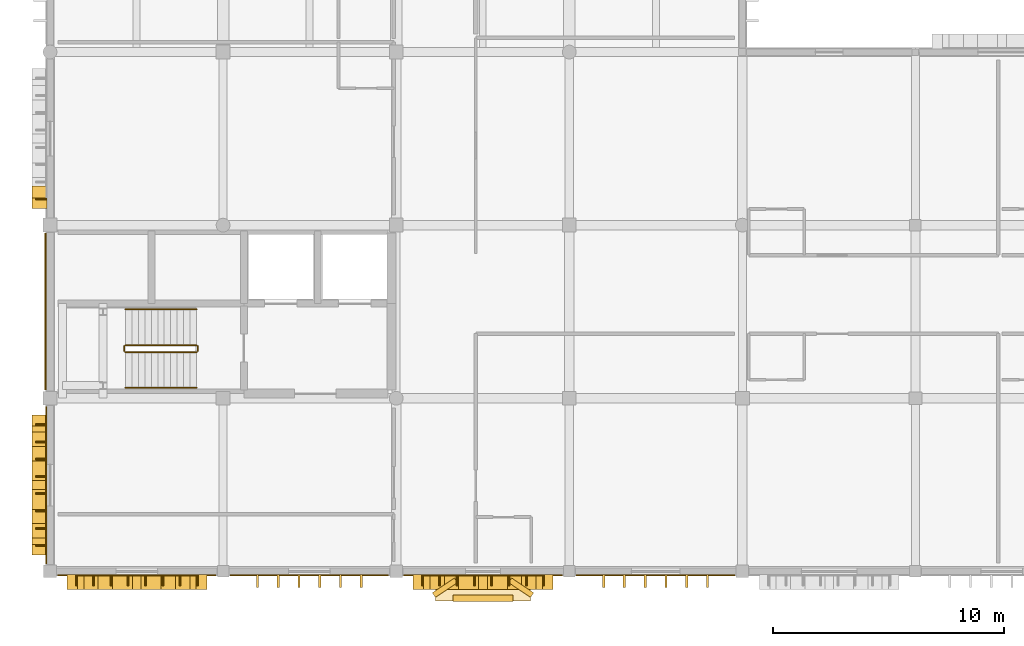
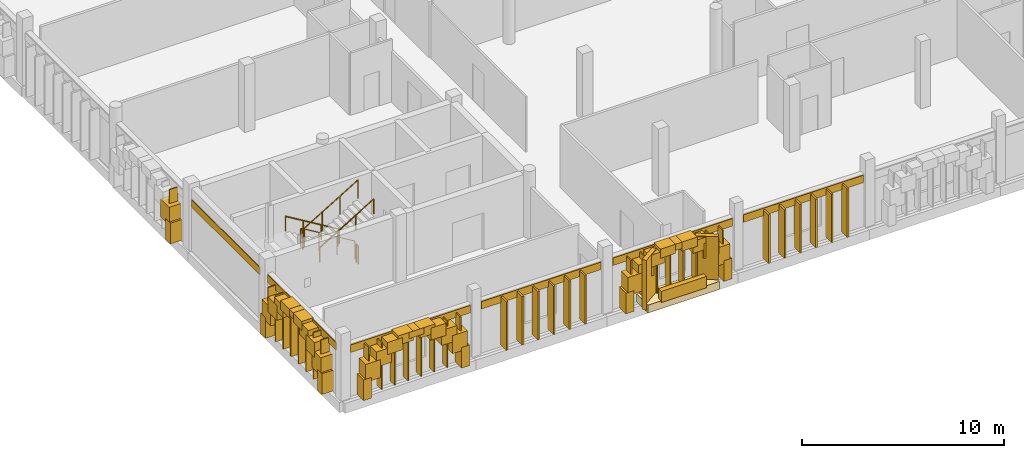
# One storey, part 22 of 33: 57 coverings, 25 shading devices, 6 railings.
"""IFC4 building model written with IfcOpenShell, lengths in metres."""

from ifc_helpers import new_model, si_unit, direction, frame, origin, origin_2d, place, context, subcontext, project, spatial, rectangle, circle, extrude, material, layer, layer_set, type_object, element, save


model = new_model("IFC4")

# Units and contexts
model_context = context("Model", 3, precision=1e-05, world=origin(), true_north=direction((0.0, 1.0)))
body_context = subcontext(model_context, "Body", "Model", "MODEL_VIEW")
ifc_project = project(units=[si_unit("LENGTHUNIT", "METRE"), si_unit("AREAUNIT", "SQUARE_METRE"), si_unit("VOLUMEUNIT", "CUBIC_METRE"), si_unit("PLANEANGLEUNIT", "RADIAN"), si_unit("MASSUNIT", "GRAM", prefix="KILO")], contexts=[model_context])

# Site, building, storey
site_placement = place(None, origin())
site = spatial("IfcSite", under=ifc_project, at=site_placement, CompositionType="ELEMENT")
building_placement = place(site_placement, origin())
building = spatial("IfcBuilding", under=site, at=building_placement, Name="Dalvernix Boulevard General Hospital", CompositionType="ELEMENT")
storey_placement = place(building_placement, frame((0.0, 0.0, 21.89990234375)))
storey = spatial("IfcBuildingStorey", under=building, at=storey_placement, Name="L05", CompositionType="ELEMENT", Elevation=21.89990234375)

# Coverings
ifc_material_1 = material(Name="Pressed Catalan clay brick and dressed limestone parabolic archivolt", Category="masonry")
ifc_layer_1 = layer(ifc_material_1, 0.419921875)
ifc_layer_set_1 = layer_set([ifc_layer_1], Name="Pressed Catalan clay brick and dressed limestone parabolic archivolt (COV-ARC-01)")
covering_type_1 = type_object("IfcCoveringType", Name="COV-ARC-01", PredefinedType="CLADDING", material=ifc_layer_set_1)
for number, where, z_axis, x_axis, name in (
    (1, (6.5625, -0.4599609375, 0.0), (0.0, 0.0, 1.0), (-1.0, 0.0, 0.0), "L05 Catalan parabolic arch impost pier S 0-0-L"),
    (2, (0.96240234375, -0.4599609375, 0.0), (0.0, 0.0, 1.0), (-1.0, 0.0, 0.0), "L05 Catalan parabolic arch impost pier S 0-0-R"),
):
    element("IfcCovering", number, at=place(storey_placement, frame(where, z_axis=z_axis, x_axis=x_axis)), inside=storey, type_object=covering_type_1, Name=name, PredefinedType="CLADDING", context=body_context, shape_type="SweptSolid", body=[
        extrude(rectangle(XDim=0.4599609375, YDim=0.659912109375, at=origin_2d()), origin(), (0.0, 0.0, 1.0), 1.25),
    ])
covering_1_placement = place(storey_placement, frame((6.25146484375, -0.4599609375, 1.06005859375), z_axis=(0.0, 0.0, 1.0), x_axis=(-1.0, 0.0, 0.0)))
element("IfcCovering", 3, at=covering_1_placement, inside=storey, type_object=covering_type_1, Name="L05 Catalan parabolic archivolt voussoir S 0-0-1", PredefinedType="CLADDING", context=body_context, shape_type="SweptSolid", body=[
    extrude(rectangle(XDim=0.8623046875, YDim=0.659912109375, at=origin_2d()), origin(), (0.0, 0.0, 1.0), 1.091064453125),
])
covering_2_placement = place(storey_placement, frame((5.629150390625, -0.4599609375, 1.77099609375), z_axis=(0.0, 0.0, 1.0), x_axis=(-1.0, 0.0, 0.0)))
element("IfcCovering", 4, at=covering_2_placement, inside=storey, type_object=covering_type_1, Name="L05 Catalan parabolic archivolt voussoir S 0-0-2", PredefinedType="CLADDING", context=body_context, shape_type="SweptSolid", body=[
    extrude(rectangle(XDim=0.8623046875, YDim=0.659912109375, at=origin_2d()), origin(), (0.0, 0.0, 1.0), 0.913330078125),
])
covering_3_placement = place(storey_placement, frame((5.0068359375, -0.4599609375, 2.3046875), z_axis=(0.0, 0.0, 1.0), x_axis=(-1.0, 0.0, 0.0)))
element("IfcCovering", 5, at=covering_3_placement, inside=storey, type_object=covering_type_1, Name="L05 Catalan parabolic archivolt voussoir S 0-0-3", PredefinedType="CLADDING", context=body_context, shape_type="SweptSolid", body=[
    extrude(rectangle(XDim=0.8623046875, YDim=0.659912109375, at=origin_2d()), origin(), (0.0, 0.0, 1.0), 0.735595703125),
])
covering_4_placement = place(storey_placement, frame((4.384765625, -0.4599609375, 2.66015625), z_axis=(0.0, 0.0, 1.0), x_axis=(-1.0, 0.0, 0.0)))
element("IfcCovering", 6, at=covering_4_placement, inside=storey, type_object=covering_type_1, Name="L05 Catalan parabolic archivolt voussoir S 0-0-4", PredefinedType="CLADDING", context=body_context, shape_type="SweptSolid", body=[
    extrude(rectangle(XDim=0.8623046875, YDim=0.659912109375, at=origin_2d()), origin(), (0.0, 0.0, 1.0), 0.557861328125),
])
covering_5_placement = place(storey_placement, frame((3.762451171875, -0.4599609375, 2.837890625), z_axis=(0.0, 0.0, 1.0), x_axis=(-1.0, 0.0, 0.0)))
element("IfcCovering", 7, at=covering_5_placement, inside=storey, type_object=covering_type_1, Name="L05 Catalan parabolic archivolt voussoir S 0-0-5", PredefinedType="CLADDING", context=body_context, shape_type="SweptSolid", body=[
    extrude(rectangle(XDim=0.8623046875, YDim=0.659912109375, at=origin_2d()), origin(), (0.0, 0.0, 1.0), 0.3798828125),
])
covering_6_placement = place(storey_placement, frame((3.140380859375, -0.4599609375, 2.66015625), z_axis=(0.0, 0.0, 1.0), x_axis=(-1.0, 0.0, 0.0)))
element("IfcCovering", 8, at=covering_6_placement, inside=storey, type_object=covering_type_1, Name="L05 Catalan parabolic archivolt voussoir S 0-0-6", PredefinedType="CLADDING", context=body_context, shape_type="SweptSolid", body=[
    extrude(rectangle(XDim=0.8623046875, YDim=0.659912109375, at=origin_2d()), origin(), (0.0, 0.0, 1.0), 0.557861328125),
])
covering_7_placement = place(storey_placement, frame((2.51806640625, -0.4599609375, 2.3046875), z_axis=(0.0, 0.0, 1.0), x_axis=(-1.0, 0.0, 0.0)))
element("IfcCovering", 9, at=covering_7_placement, inside=storey, type_object=covering_type_1, Name="L05 Catalan parabolic archivolt voussoir S 0-0-7", PredefinedType="CLADDING", context=body_context, shape_type="SweptSolid", body=[
    extrude(rectangle(XDim=0.8623046875, YDim=0.659912109375, at=origin_2d()), origin(), (0.0, 0.0, 1.0), 0.735595703125),
])
covering_8_placement = place(storey_placement, frame((1.895751953125, -0.4599609375, 1.77099609375), z_axis=(0.0, 0.0, 1.0), x_axis=(-1.0, 0.0, 0.0)))
element("IfcCovering", 10, at=covering_8_placement, inside=storey, type_object=covering_type_1, Name="L05 Catalan parabolic archivolt voussoir S 0-0-8", PredefinedType="CLADDING", context=body_context, shape_type="SweptSolid", body=[
    extrude(rectangle(XDim=0.8623046875, YDim=0.659912109375, at=origin_2d()), origin(), (0.0, 0.0, 1.0), 0.913330078125),
])
covering_9_placement = place(storey_placement, frame((1.273681640625, -0.4599609375, 1.06005859375), z_axis=(0.0, 0.0, 1.0), x_axis=(-1.0, 0.0, 0.0)))
element("IfcCovering", 11, at=covering_9_placement, inside=storey, type_object=covering_type_1, Name="L05 Catalan parabolic archivolt voussoir S 0-0-9", PredefinedType="CLADDING", context=body_context, shape_type="SweptSolid", body=[
    extrude(rectangle(XDim=0.8623046875, YDim=0.659912109375, at=origin_2d()), origin(), (0.0, 0.0, 1.0), 1.091064453125),
])
for number, where, z_axis, x_axis, name in (
    (12, (-0.4599609375, 0.9375, 0.0), (0.0, 0.0, 1.0), (0.0, 1.0, 0.0), "L05 Catalan parabolic arch impost pier W 0-0-L"),
    (13, (-0.4599609375, 6.53759765625, 0.0), (0.0, 0.0, 1.0), (0.0, 1.0, 0.0), "L05 Catalan parabolic arch impost pier W 0-0-R"),
):
    element("IfcCovering", number, at=place(storey_placement, frame(where, z_axis=z_axis, x_axis=x_axis)), inside=storey, type_object=covering_type_1, Name=name, PredefinedType="CLADDING", context=body_context, shape_type="SweptSolid", body=[
        extrude(rectangle(XDim=0.4599609375, YDim=0.659912109375, at=origin_2d()), origin(), (0.0, 0.0, 1.0), 1.25),
    ])
covering_10_placement = place(storey_placement, frame((-0.4599609375, 1.24853515625, 1.06005859375), z_axis=(0.0, 0.0, 1.0), x_axis=(0.0, 1.0, 0.0)))
element("IfcCovering", 14, at=covering_10_placement, inside=storey, type_object=covering_type_1, Name="L05 Catalan parabolic archivolt voussoir W 0-0-1", PredefinedType="CLADDING", context=body_context, shape_type="SweptSolid", body=[
    extrude(rectangle(XDim=0.8623046875, YDim=0.659912109375, at=origin_2d()), origin(), (0.0, 0.0, 1.0), 1.091064453125),
])
covering_11_placement = place(storey_placement, frame((-0.4599609375, 1.870849609375, 1.77099609375), z_axis=(0.0, 0.0, 1.0), x_axis=(0.0, 1.0, 0.0)))
element("IfcCovering", 15, at=covering_11_placement, inside=storey, type_object=covering_type_1, Name="L05 Catalan parabolic archivolt voussoir W 0-0-2", PredefinedType="CLADDING", context=body_context, shape_type="SweptSolid", body=[
    extrude(rectangle(XDim=0.8623046875, YDim=0.659912109375, at=origin_2d()), origin(), (0.0, 0.0, 1.0), 0.913330078125),
])
covering_12_placement = place(storey_placement, frame((-0.4599609375, 2.4931640625, 2.3046875), z_axis=(0.0, 0.0, 1.0), x_axis=(0.0, 1.0, 0.0)))
element("IfcCovering", 16, at=covering_12_placement, inside=storey, type_object=covering_type_1, Name="L05 Catalan parabolic archivolt voussoir W 0-0-3", PredefinedType="CLADDING", context=body_context, shape_type="SweptSolid", body=[
    extrude(rectangle(XDim=0.8623046875, YDim=0.659912109375, at=origin_2d()), origin(), (0.0, 0.0, 1.0), 0.735595703125),
])
covering_13_placement = place(storey_placement, frame((-0.4599609375, 3.115234375, 2.66015625), z_axis=(0.0, 0.0, 1.0), x_axis=(0.0, 1.0, 0.0)))
element("IfcCovering", 17, at=covering_13_placement, inside=storey, type_object=covering_type_1, Name="L05 Catalan parabolic archivolt voussoir W 0-0-4", PredefinedType="CLADDING", context=body_context, shape_type="SweptSolid", body=[
    extrude(rectangle(XDim=0.8623046875, YDim=0.659912109375, at=origin_2d()), origin(), (0.0, 0.0, 1.0), 0.557861328125),
])
covering_14_placement = place(storey_placement, frame((-0.4599609375, 3.737548828125, 2.837890625), z_axis=(0.0, 0.0, 1.0), x_axis=(0.0, 1.0, 0.0)))
element("IfcCovering", 18, at=covering_14_placement, inside=storey, type_object=covering_type_1, Name="L05 Catalan parabolic archivolt voussoir W 0-0-5", PredefinedType="CLADDING", context=body_context, shape_type="SweptSolid", body=[
    extrude(rectangle(XDim=0.8623046875, YDim=0.659912109375, at=origin_2d()), origin(), (0.0, 0.0, 1.0), 0.3798828125),
])
covering_15_placement = place(storey_placement, frame((-0.4599609375, 4.359619140625, 2.66015625), z_axis=(0.0, 0.0, 1.0), x_axis=(0.0, 1.0, 0.0)))
element("IfcCovering", 19, at=covering_15_placement, inside=storey, type_object=covering_type_1, Name="L05 Catalan parabolic archivolt voussoir W 0-0-6", PredefinedType="CLADDING", context=body_context, shape_type="SweptSolid", body=[
    extrude(rectangle(XDim=0.8623046875, YDim=0.659912109375, at=origin_2d()), origin(), (0.0, 0.0, 1.0), 0.557861328125),
])
covering_16_placement = place(storey_placement, frame((-0.4599609375, 4.98193359375, 2.3046875), z_axis=(0.0, 0.0, 1.0), x_axis=(0.0, 1.0, 0.0)))
element("IfcCovering", 20, at=covering_16_placement, inside=storey, type_object=covering_type_1, Name="L05 Catalan parabolic archivolt voussoir W 0-0-7", PredefinedType="CLADDING", context=body_context, shape_type="SweptSolid", body=[
    extrude(rectangle(XDim=0.8623046875, YDim=0.659912109375, at=origin_2d()), origin(), (0.0, 0.0, 1.0), 0.735595703125),
])
covering_17_placement = place(storey_placement, frame((-0.4599609375, 5.604248046875, 1.77099609375), z_axis=(0.0, 0.0, 1.0), x_axis=(0.0, 1.0, 0.0)))
element("IfcCovering", 21, at=covering_17_placement, inside=storey, type_object=covering_type_1, Name="L05 Catalan parabolic archivolt voussoir W 0-0-8", PredefinedType="CLADDING", context=body_context, shape_type="SweptSolid", body=[
    extrude(rectangle(XDim=0.8623046875, YDim=0.659912109375, at=origin_2d()), origin(), (0.0, 0.0, 1.0), 0.913330078125),
])
covering_18_placement = place(storey_placement, frame((-0.4599609375, 6.226318359375, 1.06005859375), z_axis=(0.0, 0.0, 1.0), x_axis=(0.0, 1.0, 0.0)))
element("IfcCovering", 22, at=covering_18_placement, inside=storey, type_object=covering_type_1, Name="L05 Catalan parabolic archivolt voussoir W 0-0-9", PredefinedType="CLADDING", context=body_context, shape_type="SweptSolid", body=[
    extrude(rectangle(XDim=0.8623046875, YDim=0.659912109375, at=origin_2d()), origin(), (0.0, 0.0, 1.0), 1.091064453125),
])
covering_19_placement = place(storey_placement, frame((-0.4599609375, 15.949951171875, 0.0), z_axis=(0.0, 0.0, 1.0), x_axis=(0.0, 1.0, 0.0)))
element("IfcCovering", 23, at=covering_19_placement, inside=storey, type_object=covering_type_1, Name="L05 Catalan parabolic arch impost pier W 0-2-L", PredefinedType="CLADDING", context=body_context, shape_type="SweptSolid", body=[
    extrude(rectangle(XDim=0.4599609375, YDim=0.659912109375, at=origin_2d()), origin(), (0.0, 0.0, 1.0), 1.25),
])
covering_20_placement = place(storey_placement, frame((-0.4599609375, 16.260986328125, 1.06005859375), z_axis=(0.0, 0.0, 1.0), x_axis=(0.0, 1.0, 0.0)))
element("IfcCovering", 24, at=covering_20_placement, inside=storey, type_object=covering_type_1, Name="L05 Catalan parabolic archivolt voussoir W 0-2-1", PredefinedType="CLADDING", context=body_context, shape_type="SweptSolid", body=[
    extrude(rectangle(XDim=0.8623046875, YDim=0.659912109375, at=origin_2d()), origin(), (0.0, 0.0, 1.0), 1.091064453125),
])
for number, where, z_axis, x_axis, name in (
    (25, (21.5625, -0.4599609375, 0.0), (0.0, 0.0, 1.0), (-1.0, 0.0, 0.0), "L05 Catalan parabolic arch impost pier S 2-0-L"),
    (26, (15.96240234375, -0.4599609375, 0.0), (0.0, 0.0, 1.0), (-1.0, 0.0, 0.0), "L05 Catalan parabolic arch impost pier S 2-0-R"),
):
    element("IfcCovering", number, at=place(storey_placement, frame(where, z_axis=z_axis, x_axis=x_axis)), inside=storey, type_object=covering_type_1, Name=name, PredefinedType="CLADDING", context=body_context, shape_type="SweptSolid", body=[
        extrude(rectangle(XDim=0.4599609375, YDim=0.659912109375, at=origin_2d()), origin(), (0.0, 0.0, 1.0), 1.25),
    ])
covering_21_placement = place(storey_placement, frame((21.25146484375, -0.4599609375, 1.06005859375), z_axis=(0.0, 0.0, 1.0), x_axis=(-1.0, 0.0, 0.0)))
element("IfcCovering", 27, at=covering_21_placement, inside=storey, type_object=covering_type_1, Name="L05 Catalan parabolic archivolt voussoir S 2-0-1", PredefinedType="CLADDING", context=body_context, shape_type="SweptSolid", body=[
    extrude(rectangle(XDim=0.8623046875, YDim=0.659912109375, at=origin_2d()), origin(), (0.0, 0.0, 1.0), 1.091064453125),
])
covering_22_placement = place(storey_placement, frame((20.629150390625, -0.4599609375, 1.77099609375), z_axis=(0.0, 0.0, 1.0), x_axis=(-1.0, 0.0, 0.0)))
element("IfcCovering", 28, at=covering_22_placement, inside=storey, type_object=covering_type_1, Name="L05 Catalan parabolic archivolt voussoir S 2-0-2", PredefinedType="CLADDING", context=body_context, shape_type="SweptSolid", body=[
    extrude(rectangle(XDim=0.8623046875, YDim=0.659912109375, at=origin_2d()), origin(), (0.0, 0.0, 1.0), 0.913330078125),
])
covering_23_placement = place(storey_placement, frame((20.0068359375, -0.4599609375, 2.3046875), z_axis=(0.0, 0.0, 1.0), x_axis=(-1.0, 0.0, 0.0)))
element("IfcCovering", 29, at=covering_23_placement, inside=storey, type_object=covering_type_1, Name="L05 Catalan parabolic archivolt voussoir S 2-0-3", PredefinedType="CLADDING", context=body_context, shape_type="SweptSolid", body=[
    extrude(rectangle(XDim=0.8623046875, YDim=0.659912109375, at=origin_2d()), origin(), (0.0, 0.0, 1.0), 0.735595703125),
])
covering_24_placement = place(storey_placement, frame((19.384765625, -0.4599609375, 2.66015625), z_axis=(0.0, 0.0, 1.0), x_axis=(-1.0, 0.0, 0.0)))
element("IfcCovering", 30, at=covering_24_placement, inside=storey, type_object=covering_type_1, Name="L05 Catalan parabolic archivolt voussoir S 2-0-4", PredefinedType="CLADDING", context=body_context, shape_type="SweptSolid", body=[
    extrude(rectangle(XDim=0.8623046875, YDim=0.659912109375, at=origin_2d()), origin(), (0.0, 0.0, 1.0), 0.557861328125),
])
covering_25_placement = place(storey_placement, frame((18.762451171875, -0.4599609375, 2.837890625), z_axis=(0.0, 0.0, 1.0), x_axis=(-1.0, 0.0, 0.0)))
element("IfcCovering", 31, at=covering_25_placement, inside=storey, type_object=covering_type_1, Name="L05 Catalan parabolic archivolt voussoir S 2-0-5", PredefinedType="CLADDING", context=body_context, shape_type="SweptSolid", body=[
    extrude(rectangle(XDim=0.8623046875, YDim=0.659912109375, at=origin_2d()), origin(), (0.0, 0.0, 1.0), 0.3798828125),
])
covering_26_placement = place(storey_placement, frame((18.140380859375, -0.4599609375, 2.66015625), z_axis=(0.0, 0.0, 1.0), x_axis=(-1.0, 0.0, 0.0)))
element("IfcCovering", 32, at=covering_26_placement, inside=storey, type_object=covering_type_1, Name="L05 Catalan parabolic archivolt voussoir S 2-0-6", PredefinedType="CLADDING", context=body_context, shape_type="SweptSolid", body=[
    extrude(rectangle(XDim=0.8623046875, YDim=0.659912109375, at=origin_2d()), origin(), (0.0, 0.0, 1.0), 0.557861328125),
])
covering_27_placement = place(storey_placement, frame((17.51806640625, -0.4599609375, 2.3046875), z_axis=(0.0, 0.0, 1.0), x_axis=(-1.0, 0.0, 0.0)))
element("IfcCovering", 33, at=covering_27_placement, inside=storey, type_object=covering_type_1, Name="L05 Catalan parabolic archivolt voussoir S 2-0-7", PredefinedType="CLADDING", context=body_context, shape_type="SweptSolid", body=[
    extrude(rectangle(XDim=0.8623046875, YDim=0.659912109375, at=origin_2d()), origin(), (0.0, 0.0, 1.0), 0.735595703125),
])
covering_28_placement = place(storey_placement, frame((16.895751953125, -0.4599609375, 1.77099609375), z_axis=(0.0, 0.0, 1.0), x_axis=(-1.0, 0.0, 0.0)))
element("IfcCovering", 34, at=covering_28_placement, inside=storey, type_object=covering_type_1, Name="L05 Catalan parabolic archivolt voussoir S 2-0-8", PredefinedType="CLADDING", context=body_context, shape_type="SweptSolid", body=[
    extrude(rectangle(XDim=0.8623046875, YDim=0.659912109375, at=origin_2d()), origin(), (0.0, 0.0, 1.0), 0.913330078125),
])
covering_29_placement = place(storey_placement, frame((16.273681640625, -0.4599609375, 1.06005859375), z_axis=(0.0, 0.0, 1.0), x_axis=(-1.0, 0.0, 0.0)))
element("IfcCovering", 35, at=covering_29_placement, inside=storey, type_object=covering_type_1, Name="L05 Catalan parabolic archivolt voussoir S 2-0-9", PredefinedType="CLADDING", context=body_context, shape_type="SweptSolid", body=[
    extrude(rectangle(XDim=0.8623046875, YDim=0.659912109375, at=origin_2d()), origin(), (0.0, 0.0, 1.0), 1.091064453125),
])
ifc_material_2 = material(Name="Polychrome glazed Catalan trencadis ceramic faceted bay spandrel")
ifc_layer_2 = layer(ifc_material_2, 0.280029296875)
ifc_layer_set_2 = layer_set([ifc_layer_2], Name="Polychrome glazed Catalan trencadis ceramic faceted bay spandrel (COV-BAY-01)")
covering_type_2 = type_object("IfcCoveringType", Name="COV-BAY-01", PredefinedType="CLADDING", material=ifc_layer_set_2)
covering_30_placement = place(storey_placement, frame((18.762451171875, -1.159912109375, 0.38037109375), z_axis=(0.0, 0.0, 1.0), x_axis=(-1.0, 0.0, 0.0)))
element("IfcCovering", 36, at=covering_30_placement, inside=storey, type_object=covering_type_2, Name="L05 projecting faceted trencadis bay spandrel S 2-0", PredefinedType="CLADDING", context=body_context, shape_type="SweptSolid", body=[
    extrude(rectangle(XDim=2.60009765625, YDim=0.280029296875, at=origin_2d()), origin(), (0.0, 0.0, 1.0), 0.679931640625),
])
for number, where, z_axis, x_axis, name in (
    (37, (20.41259765625, -0.7099609375, 0.080078125), (0.0, 0.0, 1.0), (-0.829037572555, 0.559192903471, 0.0), "L05 projecting faceted Catalan bay cheek S 2-0-L"),
    (38, (17.112548828125, -0.7099609375, 0.080078125), (0.0, 0.0, 1.0), (-0.829037572555, -0.559192903471, 0.0), "L05 projecting faceted Catalan bay cheek S 2-0-R"),
):
    element("IfcCovering", number, at=place(storey_placement, frame(where, z_axis=z_axis, x_axis=x_axis)), inside=storey, type_object=covering_type_2, Name=name, PredefinedType="CLADDING", context=body_context, shape_type="SweptSolid", body=[
        extrude(rectangle(XDim=1.14990234375, YDim=0.239990234375, at=origin_2d()), origin(), (0.0, 0.0, 1.0), 3.010009765625),
    ])
ifc_material_3 = material(Name="Polychrome Catalan glazed ceramic spandrel tile panel")
ifc_layer_3 = layer(ifc_material_3, 0.044921875)
ifc_layer_set_3 = layer_set([ifc_layer_3], Name="Polychrome Catalan glazed ceramic spandrel tile panel (COV-CLD-01)")
covering_type_3 = type_object("IfcCoveringType", Name="COV-CLD-01", PredefinedType="CLADDING", material=ifc_layer_set_3)
covering_31_placement = place(storey_placement, frame((3.762451171875, -0.169921875, 2.6953125), z_axis=(0.0, 0.0, 1.0), x_axis=(-1.0, 0.0, 0.0)))
element("IfcCovering", 39, at=covering_31_placement, inside=storey, type_object=covering_type_3, Name="L05 polychrome ceramic spandrel S 0-0", PredefinedType="CLADDING", context=body_context, shape_type="SweptSolid", body=[
    extrude(rectangle(XDim=6.85498046875, YDim=0.044921875, at=origin_2d()), origin(), (0.0, 0.0, 1.0), 0.449951171875),
])
covering_32_placement = place(storey_placement, frame((-0.169921875, 3.737548828125, 2.6953125), z_axis=(0.0, 0.0, 1.0), x_axis=(0.0, 1.0, 0.0)))
element("IfcCovering", 40, at=covering_32_placement, inside=storey, type_object=covering_type_3, Name="L05 polychrome ceramic spandrel W 0-0", PredefinedType="CLADDING", context=body_context, shape_type="SweptSolid", body=[
    extrude(rectangle(XDim=6.804931640625, YDim=0.044921875, at=origin_2d()), origin(), (0.0, 0.0, 1.0), 0.449951171875),
])
covering_33_placement = place(storey_placement, frame((-0.195068359375, 11.25, 2.6953125), z_axis=(0.0, 0.0, 1.0), x_axis=(0.0, 1.0, 0.0)))
element("IfcCovering", 41, at=covering_33_placement, inside=storey, type_object=covering_type_3, Name="L05 polychrome ceramic spandrel W 0-1", PredefinedType="CLADDING", context=body_context, shape_type="SweptSolid", body=[
    extrude(rectangle(XDim=6.780029296875, YDim=0.044921875, at=origin_2d()), origin(), (0.0, 0.0, 1.0), 0.449951171875),
])
for number, where, z_axis, x_axis, name in (
    (42, (11.237548828125, -0.169921875, 2.6953125), (0.0, 0.0, 1.0), (-1.0, 0.0, 0.0), "L05 polychrome ceramic spandrel S 1-0"),
    (43, (18.762451171875, -0.169921875, 2.6953125), (0.0, 0.0, 1.0), (-1.0, 0.0, 0.0), "L05 polychrome ceramic spandrel S 2-0"),
    (44, (26.237548828125, -0.169921875, 2.6953125), (0.0, 0.0, 1.0), (-1.0, 0.0, 0.0), "L05 polychrome ceramic spandrel S 3-0"),
):
    element("IfcCovering", number, at=place(storey_placement, frame(where, z_axis=z_axis, x_axis=x_axis)), inside=storey, type_object=covering_type_3, Name=name, PredefinedType="CLADDING", context=body_context, shape_type="SweptSolid", body=[
        extrude(rectangle(XDim=6.85498046875, YDim=0.044921875, at=origin_2d()), origin(), (0.0, 0.0, 1.0), 0.449951171875),
    ])
ifc_material_4 = material(Name="Dressed ochre limestone classical plinth, stringcourse and corbelled cornice", Category="masonry")
ifc_layer_4 = layer(ifc_material_4, 0.449951171875)
ifc_layer_set_4 = layer_set([ifc_layer_4], Name="Dressed ochre limestone classical plinth, stringcourse and corbelled cornice (COV-CRN-01)")
covering_type_4 = type_object("IfcCoveringType", Name="COV-CRN-01", PredefinedType="CLADDING", material=ifc_layer_set_4)
covering_34_placement = place(storey_placement, frame((18.762451171875, -0.705078125, 0.0), z_axis=(0.0, 0.0, 1.0), x_axis=(-1.0, 0.0, 0.0)))
element("IfcCovering", 45, at=covering_34_placement, inside=storey, type_object=covering_type_4, Name="L05 projecting Catalan bay corbel base S 2-0", PredefinedType="CLADDING", context=body_context, shape_type="SweptSolid", body=[
    extrude(rectangle(XDim=4.10009765625, YDim=1.14990234375, at=origin_2d()), origin(), (0.0, 0.0, 1.0), 0.47998046875),
])
ifc_material_5 = material(Name="Terracotta-clad iroko timber brise-soleil sun-breaker fin", Category="masonry")
ifc_layer_5 = layer(ifc_material_5, 0.10009765625)
ifc_layer_set_5 = layer_set([ifc_layer_5], Name="Terracotta-clad iroko timber brise-soleil sun-breaker fin (COV-FIN-02)")
covering_type_5 = type_object("IfcCoveringType", Name="COV-FIN-02", PredefinedType="CLADDING", material=ifc_layer_set_5)
for number, where, z_axis, x_axis, name in (
    (46, (13.487548828125, -0.419921875, 0.1201171875), (0.0, 0.0, 1.0), (-1.0, 0.0, 0.0), "L05 terracotta brise-soleil fin S 1-0-1"),
    (47, (12.58740234375, -0.419921875, 0.1201171875), (0.0, 0.0, 1.0), (-1.0, 0.0, 0.0), "L05 terracotta brise-soleil fin S 1-0-2"),
    (48, (11.6875, -0.419921875, 0.1201171875), (0.0, 0.0, 1.0), (-1.0, 0.0, 0.0), "L05 terracotta brise-soleil fin S 1-0-3"),
    (49, (10.78759765625, -0.419921875, 0.1201171875), (0.0, 0.0, 1.0), (-1.0, 0.0, 0.0), "L05 terracotta brise-soleil fin S 1-0-4"),
    (50, (9.887451171875, -0.419921875, 0.1201171875), (0.0, 0.0, 1.0), (-1.0, 0.0, 0.0), "L05 terracotta brise-soleil fin S 1-0-5"),
    (51, (8.987548828125, -0.419921875, 0.1201171875), (0.0, 0.0, 1.0), (-1.0, 0.0, 0.0), "L05 terracotta brise-soleil fin S 1-0-6"),
    (52, (28.487548828125, -0.419921875, 0.1201171875), (0.0, 0.0, 1.0), (-1.0, 0.0, 0.0), "L05 terracotta brise-soleil fin S 3-0-1"),
    (53, (27.58740234375, -0.419921875, 0.1201171875), (0.0, 0.0, 1.0), (-1.0, 0.0, 0.0), "L05 terracotta brise-soleil fin S 3-0-2"),
    (54, (26.6875, -0.419921875, 0.1201171875), (0.0, 0.0, 1.0), (-1.0, 0.0, 0.0), "L05 terracotta brise-soleil fin S 3-0-3"),
    (55, (25.78759765625, -0.419921875, 0.1201171875), (0.0, 0.0, 1.0), (-1.0, 0.0, 0.0), "L05 terracotta brise-soleil fin S 3-0-4"),
    (56, (24.887451171875, -0.419921875, 0.1201171875), (0.0, 0.0, 1.0), (-1.0, 0.0, 0.0), "L05 terracotta brise-soleil fin S 3-0-5"),
    (57, (23.987548828125, -0.419921875, 0.1201171875), (0.0, 0.0, 1.0), (-1.0, 0.0, 0.0), "L05 terracotta brise-soleil fin S 3-0-6"),
):
    element("IfcCovering", number, at=place(storey_placement, frame(where, z_axis=z_axis, x_axis=x_axis)), inside=storey, type_object=covering_type_5, Name=name, PredefinedType="CLADDING", context=body_context, shape_type="SweptSolid", body=[
        extrude(rectangle(XDim=0.10009765625, YDim=0.580078125, at=origin_2d()), origin(), (0.0, 0.0, 1.0), 2.929931640625),
    ])

# Railings
ifc_material_6 = material(Name="Brushed stainless steel balustrade", Category="steel")
railing_type_1 = type_object("IfcRailingType", Name="RL-GR-INT1", PredefinedType="BALUSTRADE", material=ifc_material_6)
railing_1_placement = place(storey_placement, frame((6.35009765625, 9.800048828125, 0.1689453125)))
element("IfcRailing", 58, at=railing_1_placement, inside=storey, type_object=railing_type_1, Name="L05 ST-01 stair guard 1", PredefinedType="BALUSTRADE", context=body_context, shape_type="SweptSolid", body=[
    extrude(circle(Radius=0.02392578125, at=origin_2d()), frame((0.0, 0.0, 1.09619140625), z_axis=(-0.856490936558, 0.0, 0.516162063304), x_axis=(0.0, -1.0, 0.0)), (0.0, 0.0, 1.0), 3.59619140625),
    extrude(circle(Radius=0.02099609375, at=origin_2d()), origin(), (0.0, 0.0, 1.0), 1.072021484375),
    extrude(circle(Radius=0.02099609375, at=origin_2d()), frame((-1.026611328125, 0.0, 0.61865234375)), (0.0, 0.0, 1.0), 1.072021484375),
    extrude(circle(Radius=0.02099609375, at=origin_2d()), frame((-2.053466796875, 0.0, 1.237548828125)), (0.0, 0.0, 1.0), 1.072021484375),
    extrude(circle(Radius=0.02099609375, at=origin_2d()), frame((-3.080078125, 0.0, 1.856201171875)), (0.0, 0.0, 1.0), 1.072021484375),
])
railing_2_placement = place(storey_placement, frame((3.219970703125, 9.75, 2.025146484375)))
element("IfcRailing", 59, at=railing_2_placement, inside=storey, type_object=railing_type_1, Name="L05 ST-01 stair guard 2", PredefinedType="BALUSTRADE", context=body_context, shape_type="SweptSolid", body=[
    extrude(circle(Radius=0.02392578125, at=origin_2d()), frame((0.0, 0.0, 1.09619140625), z_axis=(0.0, -1.0, 0.0), x_axis=(1.0, 0.0, 0.0)), (0.0, 0.0, 1.0), 0.199951171875),
    extrude(circle(Radius=0.02099609375, at=origin_2d()), origin(), (0.0, 0.0, 1.0), 1.072021484375),
    extrude(circle(Radius=0.02099609375, at=origin_2d()), frame((0.0, -0.199951171875, 0.0)), (0.0, 0.0, 1.0), 1.072021484375),
])
railing_3_placement = place(storey_placement, frame((3.27001953125, 9.5, 2.19384765625)))
element("IfcRailing", 60, at=railing_3_placement, inside=storey, type_object=railing_type_1, Name="L05 ST-01 stair guard 3", PredefinedType="BALUSTRADE", context=body_context, shape_type="SweptSolid", body=[
    extrude(circle(Radius=0.02392578125, at=origin_2d()), frame((0.0, 0.0, 1.09619140625), z_axis=(0.856490936558, 0.0, 0.516162063304), x_axis=(0.0, 1.0, 0.0)), (0.0, 0.0, 1.0), 3.59619140625),
    extrude(circle(Radius=0.02099609375, at=origin_2d()), origin(), (0.0, 0.0, 1.0), 1.072021484375),
    extrude(circle(Radius=0.02099609375, at=origin_2d()), frame((1.026611328125, 0.0, 0.61865234375)), (0.0, 0.0, 1.0), 1.072021484375),
    extrude(circle(Radius=0.02099609375, at=origin_2d()), frame((2.053466796875, 0.0, 1.237548828125)), (0.0, 0.0, 1.0), 1.072021484375),
    extrude(circle(Radius=0.02099609375, at=origin_2d()), frame((3.080078125, 0.0, 1.856201171875)), (0.0, 0.0, 1.0), 1.072021484375),
])
railing_4_placement = place(storey_placement, frame((6.39990234375, 9.75, 0.0)))
element("IfcRailing", 61, at=railing_4_placement, inside=storey, type_object=railing_type_1, Name="L05 ST-01 stair guard 4", PredefinedType="BALUSTRADE", context=body_context, shape_type="SweptSolid", body=[
    extrude(circle(Radius=0.02392578125, at=origin_2d()), frame((0.0, 0.0, 1.09619140625), z_axis=(0.0, -1.0, 0.0), x_axis=(1.0, 0.0, 0.0)), (0.0, 0.0, 1.0), 0.199951171875),
    extrude(circle(Radius=0.02099609375, at=origin_2d()), origin(), (0.0, 0.0, 1.0), 1.072021484375),
    extrude(circle(Radius=0.02099609375, at=origin_2d()), frame((0.0, -0.199951171875, 0.0)), (0.0, 0.0, 1.0), 1.072021484375),
])
ifc_material_7 = material(Name="Brushed stainless steel wall handrail", Category="steel")
railing_type_2 = type_object("IfcRailingType", Name="RL-HR-INT1", PredefinedType="HANDRAIL", material=ifc_material_7)
railing_5_placement = place(storey_placement, frame((6.35009765625, 11.35009765625, 0.1689453125)))
element("IfcRailing", 62, at=railing_5_placement, inside=storey, type_object=railing_type_2, Name="L05 ST-01 stair handrail 1", PredefinedType="HANDRAIL", context=body_context, shape_type="SweptSolid", body=[
    extrude(circle(Radius=0.02392578125, at=origin_2d()), frame((0.0, 0.0, 0.8759765625), z_axis=(-0.856490936558, 0.0, 0.516162063304), x_axis=(0.0, -1.0, 0.0)), (0.0, 0.0, 1.0), 3.59619140625),
    extrude(circle(Radius=0.02099609375, at=origin_2d()), origin(), (0.0, 0.0, 1.0), 0.851806640625),
    extrude(circle(Radius=0.02099609375, at=origin_2d()), frame((-1.026611328125, 0.0, 0.61865234375)), (0.0, 0.0, 1.0), 0.851806640625),
    extrude(circle(Radius=0.02099609375, at=origin_2d()), frame((-2.053466796875, 0.0, 1.237548828125)), (0.0, 0.0, 1.0), 0.851806640625),
    extrude(circle(Radius=0.02099609375, at=origin_2d()), frame((-3.080078125, 0.0, 1.856201171875)), (0.0, 0.0, 1.0), 0.851806640625),
])
railing_6_placement = place(storey_placement, frame((3.27001953125, 7.949951171875, 2.19384765625)))
element("IfcRailing", 63, at=railing_6_placement, inside=storey, type_object=railing_type_2, Name="L05 ST-01 stair handrail 2", PredefinedType="HANDRAIL", context=body_context, shape_type="SweptSolid", body=[
    extrude(circle(Radius=0.02392578125, at=origin_2d()), frame((0.0, 0.0, 0.8759765625), z_axis=(0.856490936558, 0.0, 0.516162063304), x_axis=(0.0, 1.0, 0.0)), (0.0, 0.0, 1.0), 3.59619140625),
    extrude(circle(Radius=0.02099609375, at=origin_2d()), origin(), (0.0, 0.0, 1.0), 0.851806640625),
    extrude(circle(Radius=0.02099609375, at=origin_2d()), frame((1.026611328125, 0.0, 0.61865234375)), (0.0, 0.0, 1.0), 0.851806640625),
    extrude(circle(Radius=0.02099609375, at=origin_2d()), frame((2.053466796875, 0.0, 1.237548828125)), (0.0, 0.0, 1.0), 0.851806640625),
    extrude(circle(Radius=0.02099609375, at=origin_2d()), frame((3.080078125, 0.0, 1.856201171875)), (0.0, 0.0, 1.0), 0.851806640625),
])

# Shading devices
ifc_material_8 = material(Name="Preservative-treated West African iroko timber", Category="wood")
shading_device_type = type_object("IfcShadingDeviceType", Name="SHD-FIN-01", PredefinedType="USERDEFINED", material=ifc_material_8)
for number, where, z_axis, x_axis, name in (
    (64, (6.387451171875, -0.3798828125, 0.17529296875), (0.0, 0.0, 1.0), (-1.0, 0.0, 0.0), "L05 iroko brise-soleil fin 1"),
    (65, (5.637451171875, -0.3798828125, 0.17529296875), (0.0, 0.0, 1.0), (-1.0, 0.0, 0.0), "L05 iroko brise-soleil fin 2"),
    (66, (4.887451171875, -0.3798828125, 0.17529296875), (0.0, 0.0, 1.0), (-1.0, 0.0, 0.0), "L05 iroko brise-soleil fin 3"),
    (67, (4.137451171875, -0.3798828125, 0.17529296875), (0.0, 0.0, 1.0), (-1.0, 0.0, 0.0), "L05 iroko brise-soleil fin 4"),
    (68, (3.387451171875, -0.3798828125, 0.17529296875), (0.0, 0.0, 1.0), (-1.0, 0.0, 0.0), "L05 iroko brise-soleil fin 5"),
    (69, (2.637451171875, -0.3798828125, 0.17529296875), (0.0, 0.0, 1.0), (-1.0, 0.0, 0.0), "L05 iroko brise-soleil fin 6"),
    (70, (1.887451171875, -0.3798828125, 0.17529296875), (0.0, 0.0, 1.0), (-1.0, 0.0, 0.0), "L05 iroko brise-soleil fin 7"),
    (71, (1.137451171875, -0.3798828125, 0.17529296875), (0.0, 0.0, 1.0), (-1.0, 0.0, 0.0), "L05 iroko brise-soleil fin 8"),
    (72, (-0.3798828125, 1.112548828125, 0.17529296875), (0.0, 0.0, 1.0), (0.0, 1.0, 0.0), "L05 iroko brise-soleil fin 1"),
    (73, (-0.3798828125, 1.862548828125, 0.17529296875), (0.0, 0.0, 1.0), (0.0, 1.0, 0.0), "L05 iroko brise-soleil fin 2"),
    (74, (-0.3798828125, 2.612548828125, 0.17529296875), (0.0, 0.0, 1.0), (0.0, 1.0, 0.0), "L05 iroko brise-soleil fin 3"),
    (75, (-0.3798828125, 3.362548828125, 0.17529296875), (0.0, 0.0, 1.0), (0.0, 1.0, 0.0), "L05 iroko brise-soleil fin 4"),
    (76, (-0.3798828125, 4.112548828125, 0.17529296875), (0.0, 0.0, 1.0), (0.0, 1.0, 0.0), "L05 iroko brise-soleil fin 5"),
    (77, (-0.3798828125, 4.862548828125, 0.17529296875), (0.0, 0.0, 1.0), (0.0, 1.0, 0.0), "L05 iroko brise-soleil fin 6"),
    (78, (-0.3798828125, 5.612548828125, 0.17529296875), (0.0, 0.0, 1.0), (0.0, 1.0, 0.0), "L05 iroko brise-soleil fin 7"),
    (79, (-0.3798828125, 6.362548828125, 0.17529296875), (0.0, 0.0, 1.0), (0.0, 1.0, 0.0), "L05 iroko brise-soleil fin 8"),
    (80, (-0.3798828125, 16.125, 0.17529296875), (0.0, 0.0, 1.0), (0.0, 1.0, 0.0), "L05 iroko brise-soleil fin 1"),
    (81, (21.387451171875, -0.3798828125, 0.17529296875), (0.0, 0.0, 1.0), (-1.0, 0.0, 0.0), "L05 iroko brise-soleil fin 1"),
    (82, (20.637451171875, -0.3798828125, 0.17529296875), (0.0, 0.0, 1.0), (-1.0, 0.0, 0.0), "L05 iroko brise-soleil fin 2"),
    (83, (19.887451171875, -0.3798828125, 0.17529296875), (0.0, 0.0, 1.0), (-1.0, 0.0, 0.0), "L05 iroko brise-soleil fin 3"),
    (84, (19.137451171875, -0.3798828125, 0.17529296875), (0.0, 0.0, 1.0), (-1.0, 0.0, 0.0), "L05 iroko brise-soleil fin 4"),
    (85, (18.387451171875, -0.3798828125, 0.17529296875), (0.0, 0.0, 1.0), (-1.0, 0.0, 0.0), "L05 iroko brise-soleil fin 5"),
    (86, (17.637451171875, -0.3798828125, 0.17529296875), (0.0, 0.0, 1.0), (-1.0, 0.0, 0.0), "L05 iroko brise-soleil fin 6"),
    (87, (16.887451171875, -0.3798828125, 0.17529296875), (0.0, 0.0, 1.0), (-1.0, 0.0, 0.0), "L05 iroko brise-soleil fin 7"),
    (88, (16.137451171875, -0.3798828125, 0.17529296875), (0.0, 0.0, 1.0), (-1.0, 0.0, 0.0), "L05 iroko brise-soleil fin 8"),
):
    element("IfcShadingDevice", number, at=place(storey_placement, frame(where, z_axis=z_axis, x_axis=x_axis)), inside=storey, type_object=shading_device_type, Name=name, ObjectType="FIN", PredefinedType="USERDEFINED", context=body_context, shape_type="SweptSolid", body=[
        extrude(rectangle(XDim=0.06494140625, YDim=0.47998046875, at=origin_2d()), origin(), (0.0, 0.0, 1.0), 2.820068359375),
    ])

save(model, "model.ifc")
